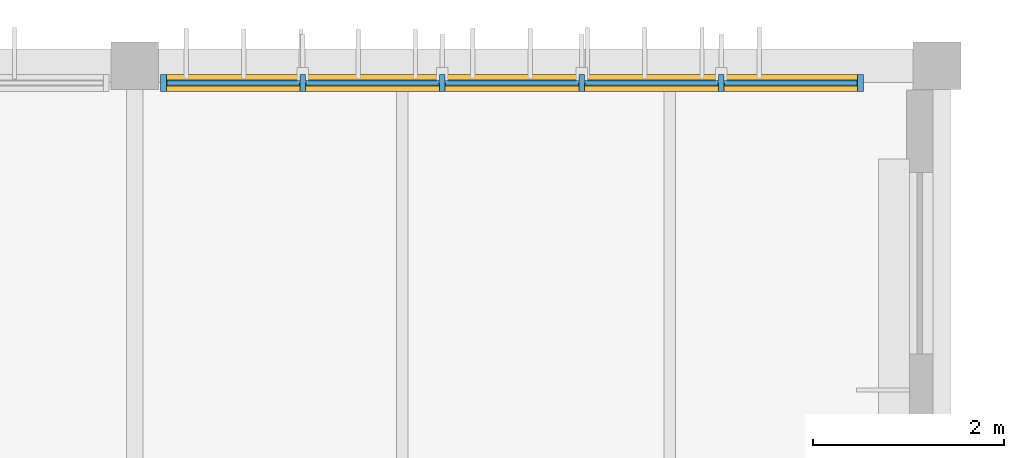
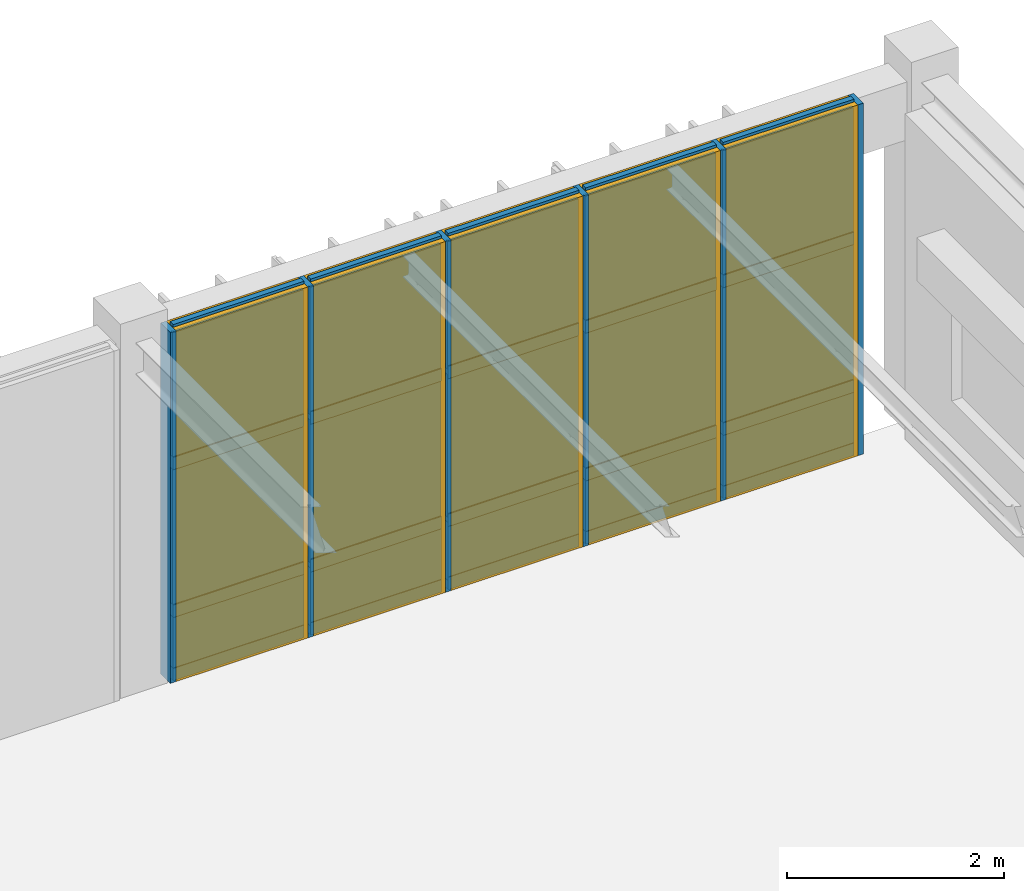
# One storey, part 105 of 122: 26 members, 15 plates, 1 curtain wall.
"""IFC4 building model written with IfcOpenShell, lengths in metres."""

from ifc_helpers import new_model, si_unit, direction, frame, frame_2d, origin, origin_2d, place, context, subcontext, project, spatial, rectangle, extrude, material, layer, layer_set, material_profile, profile_set, type_object, element, aggregate, save


model = new_model("IFC4")

# Units and contexts
model_context = context("Model", 3, precision=1e-05, world=origin(), true_north=direction((0.0, 1.0)))
body_context = subcontext(model_context, "Body", "Model", "MODEL_VIEW")
ifc_project = project(units=[si_unit("LENGTHUNIT", "METRE"), si_unit("AREAUNIT", "SQUARE_METRE"), si_unit("VOLUMEUNIT", "CUBIC_METRE"), si_unit("PLANEANGLEUNIT", "RADIAN"), si_unit("MASSUNIT", "GRAM", prefix="KILO")], contexts=[model_context])

# Member
ifc_material_1 = material(Name="Anodised Bronze Aluminium 6063-T6", Category="aluminium")
ifc_material_profile_1 = material_profile(ifc_material_1, rectangle(XDim=0.06005859375, YDim=0.179931640625, at=origin_2d()), Name="ALU MULLION 60x180")
ifc_profile_set_1 = profile_set([ifc_material_profile_1], Name="Anodised Bronze Aluminium 6063-T6")
member_type_1 = type_object("IfcMemberType", Name="Curtain-Wall Primary Mullion 60x180", PredefinedType="MULLION", material=ifc_profile_set_1)
site_placement = place(None, origin())
building_placement = place(site_placement, origin())
storey_placement = place(building_placement, frame((0.0, 0.0, 4.800048828125)))
member_1_placement = place(storey_placement, frame((142.5, 111.6201171875, 0.0), z_axis=(0.0, 0.0, 1.0), x_axis=(1.0, 0.0, 0.0)))
member_1 = element("IfcMember", 1, at=member_1_placement, type_object=member_type_1, Name="Mullion CWM-01 CW-V3-N3-L01-B3-M01", PredefinedType="MULLION", context=body_context, shape_type="SweptSolid", body=[
    extrude(rectangle(XDim=0.06005859375, YDim=0.179931640625, at=origin_2d()), origin(), (0.0, 0.0, 1.0), 3.93994140625),
])

member_2_placement = place(storey_placement, frame((143.9599609375, 111.6201171875, 0.0), z_axis=(0.0, 0.0, 1.0), x_axis=(1.0, 0.0, 0.0)))
member_2 = element("IfcMember", 2, at=member_2_placement, type_object=member_type_1, Name="Mullion CWM-01 CW-V3-N3-L01-B3-M02", PredefinedType="MULLION", context=body_context, shape_type="SweptSolid", body=[
    extrude(rectangle(XDim=0.06005859375, YDim=0.179931640625, at=origin_2d()), origin(), (0.0, 0.0, 1.0), 3.93994140625),
])

member_3_placement = place(storey_placement, frame((145.419921875, 111.6201171875, 0.0), z_axis=(0.0, 0.0, 1.0), x_axis=(1.0, 0.0, 0.0)))
member_3 = element("IfcMember", 3, at=member_3_placement, type_object=member_type_1, Name="Mullion CWM-01 CW-V3-N3-L01-B3-M03", PredefinedType="MULLION", context=body_context, shape_type="SweptSolid", body=[
    extrude(rectangle(XDim=0.06005859375, YDim=0.179931640625, at=origin_2d()), origin(), (0.0, 0.0, 1.0), 3.93994140625),
])

member_4_placement = place(storey_placement, frame((146.8798828125, 111.6201171875, 0.0), z_axis=(0.0, 0.0, 1.0), x_axis=(1.0, 0.0, 0.0)))
member_4 = element("IfcMember", 4, at=member_4_placement, type_object=member_type_1, Name="Mullion CWM-01 CW-V3-N3-L01-B3-M04", PredefinedType="MULLION", context=body_context, shape_type="SweptSolid", body=[
    extrude(rectangle(XDim=0.06005859375, YDim=0.179931640625, at=origin_2d()), origin(), (0.0, 0.0, 1.0), 3.93994140625),
])

member_5_placement = place(storey_placement, frame((148.340087890625, 111.6201171875, 0.0), z_axis=(0.0, 0.0, 1.0), x_axis=(1.0, 0.0, 0.0)))
member_5 = element("IfcMember", 5, at=member_5_placement, type_object=member_type_1, Name="Mullion CWM-01 CW-V3-N3-L01-B3-M05", PredefinedType="MULLION", context=body_context, shape_type="SweptSolid", body=[
    extrude(rectangle(XDim=0.06005859375, YDim=0.179931640625, at=origin_2d()), origin(), (0.0, 0.0, 1.0), 3.93994140625),
])

member_6_placement = place(storey_placement, frame((149.800048828125, 111.6201171875, 0.0), z_axis=(0.0, 0.0, 1.0), x_axis=(1.0, 0.0, 0.0)))
member_6 = element("IfcMember", 6, at=member_6_placement, type_object=member_type_1, Name="Mullion CWM-01 CW-V3-N3-L01-B3-M06", PredefinedType="MULLION", context=body_context, shape_type="SweptSolid", body=[
    extrude(rectangle(XDim=0.06005859375, YDim=0.179931640625, at=origin_2d()), origin(), (0.0, 0.0, 1.0), 3.93994140625),
])

ifc_material_profile_2 = material_profile(ifc_material_1, rectangle(XDim=0.06005859375, YDim=0.139892578125, at=origin_2d()), Name="ALU TRANSOM 60x140")
ifc_profile_set_2 = profile_set([ifc_material_profile_2], Name="Anodised Bronze Aluminium 6063-T6")
member_type_2 = type_object("IfcMemberType", Name="Curtain-Wall Transom 60x140", PredefinedType="USERDEFINED", material=ifc_profile_set_2)
member_7_placement = place(storey_placement, frame((142.534912109375, 111.6201171875, 0.0400390625), z_axis=(1.0, 0.0, 0.0), x_axis=(0.0, 1.0, 0.0)))
member_7 = element("IfcMember", 7, at=member_7_placement, type_object=member_type_2, Name="Transom CWT-01 CW-V3-N3-L01-B3-T01.1", ObjectType="TRANSOM", PredefinedType="USERDEFINED", context=body_context, shape_type="SweptSolid", body=[
    extrude(rectangle(XDim=0.06005859375, YDim=0.139892578125, at=origin_2d()), origin(), (0.0, 0.0, 1.0), 1.39013671875),
])

member_8_placement = place(storey_placement, frame((142.534912109375, 111.6201171875, 0.75), z_axis=(1.0, 0.0, 0.0), x_axis=(0.0, 1.0, 0.0)))
member_8 = element("IfcMember", 8, at=member_8_placement, type_object=member_type_2, Name="Transom CWT-01 CW-V3-N3-L01-B3-T01.2", ObjectType="TRANSOM", PredefinedType="USERDEFINED", context=body_context, shape_type="SweptSolid", body=[
    extrude(rectangle(XDim=0.06005859375, YDim=0.139892578125, at=origin_2d()), origin(), (0.0, 0.0, 1.0), 1.39013671875),
])

member_9_placement = place(storey_placement, frame((142.534912109375, 111.6201171875, 2.40869140625), z_axis=(1.0, 0.0, 0.0), x_axis=(0.0, 1.0, 0.0)))
member_9 = element("IfcMember", 9, at=member_9_placement, type_object=member_type_2, Name="Transom CWT-01 CW-V3-N3-L01-B3-T01.3", ObjectType="TRANSOM", PredefinedType="USERDEFINED", context=body_context, shape_type="SweptSolid", body=[
    extrude(rectangle(XDim=0.06005859375, YDim=0.139892578125, at=origin_2d()), origin(), (0.0, 0.0, 1.0), 1.39013671875),
])

member_10_placement = place(storey_placement, frame((142.534912109375, 111.6201171875, 3.89990234375), z_axis=(1.0, 0.0, 0.0), x_axis=(0.0, 1.0, 0.0)))
member_10 = element("IfcMember", 10, at=member_10_placement, type_object=member_type_2, Name="Transom CWT-01 CW-V3-N3-L01-B3-T01.4", ObjectType="TRANSOM", PredefinedType="USERDEFINED", context=body_context, shape_type="SweptSolid", body=[
    extrude(rectangle(XDim=0.06005859375, YDim=0.139892578125, at=origin_2d()), origin(), (0.0, 0.0, 1.0), 1.39013671875),
])

member_11_placement = place(storey_placement, frame((143.9951171875, 111.6201171875, 0.0400390625), z_axis=(1.0, 0.0, 0.0), x_axis=(0.0, 1.0, 0.0)))
member_11 = element("IfcMember", 11, at=member_11_placement, type_object=member_type_2, Name="Transom CWT-01 CW-V3-N3-L01-B3-T02.1", ObjectType="TRANSOM", PredefinedType="USERDEFINED", context=body_context, shape_type="SweptSolid", body=[
    extrude(rectangle(XDim=0.06005859375, YDim=0.139892578125, at=origin_2d()), origin(), (0.0, 0.0, 1.0), 1.389892578125),
])

member_12_placement = place(storey_placement, frame((143.9951171875, 111.6201171875, 0.75), z_axis=(1.0, 0.0, 0.0), x_axis=(0.0, 1.0, 0.0)))
member_12 = element("IfcMember", 12, at=member_12_placement, type_object=member_type_2, Name="Transom CWT-01 CW-V3-N3-L01-B3-T02.2", ObjectType="TRANSOM", PredefinedType="USERDEFINED", context=body_context, shape_type="SweptSolid", body=[
    extrude(rectangle(XDim=0.06005859375, YDim=0.139892578125, at=origin_2d()), origin(), (0.0, 0.0, 1.0), 1.389892578125),
])

member_13_placement = place(storey_placement, frame((143.9951171875, 111.6201171875, 2.40869140625), z_axis=(1.0, 0.0, 0.0), x_axis=(0.0, 1.0, 0.0)))
member_13 = element("IfcMember", 13, at=member_13_placement, type_object=member_type_2, Name="Transom CWT-01 CW-V3-N3-L01-B3-T02.3", ObjectType="TRANSOM", PredefinedType="USERDEFINED", context=body_context, shape_type="SweptSolid", body=[
    extrude(rectangle(XDim=0.06005859375, YDim=0.139892578125, at=origin_2d()), origin(), (0.0, 0.0, 1.0), 1.389892578125),
])

member_14_placement = place(storey_placement, frame((143.9951171875, 111.6201171875, 3.89990234375), z_axis=(1.0, 0.0, 0.0), x_axis=(0.0, 1.0, 0.0)))
member_14 = element("IfcMember", 14, at=member_14_placement, type_object=member_type_2, Name="Transom CWT-01 CW-V3-N3-L01-B3-T02.4", ObjectType="TRANSOM", PredefinedType="USERDEFINED", context=body_context, shape_type="SweptSolid", body=[
    extrude(rectangle(XDim=0.06005859375, YDim=0.139892578125, at=origin_2d()), origin(), (0.0, 0.0, 1.0), 1.389892578125),
])

member_15_placement = place(storey_placement, frame((145.455078125, 111.6201171875, 0.0400390625), z_axis=(1.0, 0.0, 0.0), x_axis=(0.0, 1.0, 0.0)))
member_15 = element("IfcMember", 15, at=member_15_placement, type_object=member_type_2, Name="Transom CWT-01 CW-V3-N3-L01-B3-T03.1", ObjectType="TRANSOM", PredefinedType="USERDEFINED", context=body_context, shape_type="SweptSolid", body=[
    extrude(rectangle(XDim=0.06005859375, YDim=0.139892578125, at=origin_2d()), origin(), (0.0, 0.0, 1.0), 1.389892578125),
])

member_16_placement = place(storey_placement, frame((145.455078125, 111.6201171875, 0.75), z_axis=(1.0, 0.0, 0.0), x_axis=(0.0, 1.0, 0.0)))
member_16 = element("IfcMember", 16, at=member_16_placement, type_object=member_type_2, Name="Transom CWT-01 CW-V3-N3-L01-B3-T03.2", ObjectType="TRANSOM", PredefinedType="USERDEFINED", context=body_context, shape_type="SweptSolid", body=[
    extrude(rectangle(XDim=0.06005859375, YDim=0.139892578125, at=origin_2d()), origin(), (0.0, 0.0, 1.0), 1.389892578125),
])

member_17_placement = place(storey_placement, frame((145.455078125, 111.6201171875, 2.40869140625), z_axis=(1.0, 0.0, 0.0), x_axis=(0.0, 1.0, 0.0)))
member_17 = element("IfcMember", 17, at=member_17_placement, type_object=member_type_2, Name="Transom CWT-01 CW-V3-N3-L01-B3-T03.3", ObjectType="TRANSOM", PredefinedType="USERDEFINED", context=body_context, shape_type="SweptSolid", body=[
    extrude(rectangle(XDim=0.06005859375, YDim=0.139892578125, at=origin_2d()), origin(), (0.0, 0.0, 1.0), 1.389892578125),
])

member_18_placement = place(storey_placement, frame((145.455078125, 111.6201171875, 3.89990234375), z_axis=(1.0, 0.0, 0.0), x_axis=(0.0, 1.0, 0.0)))
member_18 = element("IfcMember", 18, at=member_18_placement, type_object=member_type_2, Name="Transom CWT-01 CW-V3-N3-L01-B3-T03.4", ObjectType="TRANSOM", PredefinedType="USERDEFINED", context=body_context, shape_type="SweptSolid", body=[
    extrude(rectangle(XDim=0.06005859375, YDim=0.139892578125, at=origin_2d()), origin(), (0.0, 0.0, 1.0), 1.389892578125),
])

member_19_placement = place(storey_placement, frame((146.9150390625, 111.6201171875, 0.0400390625), z_axis=(1.0, 0.0, 0.0), x_axis=(0.0, 1.0, 0.0)))
member_19 = element("IfcMember", 19, at=member_19_placement, type_object=member_type_2, Name="Transom CWT-01 CW-V3-N3-L01-B3-T04.1", ObjectType="TRANSOM", PredefinedType="USERDEFINED", context=body_context, shape_type="SweptSolid", body=[
    extrude(rectangle(XDim=0.06005859375, YDim=0.139892578125, at=origin_2d()), origin(), (0.0, 0.0, 1.0), 1.389892578125),
])

member_20_placement = place(storey_placement, frame((146.9150390625, 111.6201171875, 0.75), z_axis=(1.0, 0.0, 0.0), x_axis=(0.0, 1.0, 0.0)))
member_20 = element("IfcMember", 20, at=member_20_placement, type_object=member_type_2, Name="Transom CWT-01 CW-V3-N3-L01-B3-T04.2", ObjectType="TRANSOM", PredefinedType="USERDEFINED", context=body_context, shape_type="SweptSolid", body=[
    extrude(rectangle(XDim=0.06005859375, YDim=0.139892578125, at=origin_2d()), origin(), (0.0, 0.0, 1.0), 1.389892578125),
])

member_21_placement = place(storey_placement, frame((146.9150390625, 111.6201171875, 2.40869140625), z_axis=(1.0, 0.0, 0.0), x_axis=(0.0, 1.0, 0.0)))
member_21 = element("IfcMember", 21, at=member_21_placement, type_object=member_type_2, Name="Transom CWT-01 CW-V3-N3-L01-B3-T04.3", ObjectType="TRANSOM", PredefinedType="USERDEFINED", context=body_context, shape_type="SweptSolid", body=[
    extrude(rectangle(XDim=0.06005859375, YDim=0.139892578125, at=origin_2d()), origin(), (0.0, 0.0, 1.0), 1.389892578125),
])

member_22_placement = place(storey_placement, frame((146.9150390625, 111.6201171875, 3.89990234375), z_axis=(1.0, 0.0, 0.0), x_axis=(0.0, 1.0, 0.0)))
member_22 = element("IfcMember", 22, at=member_22_placement, type_object=member_type_2, Name="Transom CWT-01 CW-V3-N3-L01-B3-T04.4", ObjectType="TRANSOM", PredefinedType="USERDEFINED", context=body_context, shape_type="SweptSolid", body=[
    extrude(rectangle(XDim=0.06005859375, YDim=0.139892578125, at=origin_2d()), origin(), (0.0, 0.0, 1.0), 1.389892578125),
])

member_23_placement = place(storey_placement, frame((148.375, 111.6201171875, 0.0400390625), z_axis=(1.0, 0.0, 0.0), x_axis=(0.0, 1.0, 0.0)))
member_23 = element("IfcMember", 23, at=member_23_placement, type_object=member_type_2, Name="Transom CWT-01 CW-V3-N3-L01-B3-T05.1", ObjectType="TRANSOM", PredefinedType="USERDEFINED", context=body_context, shape_type="SweptSolid", body=[
    extrude(rectangle(XDim=0.06005859375, YDim=0.139892578125, at=origin_2d()), origin(), (0.0, 0.0, 1.0), 1.389892578125),
])

member_24_placement = place(storey_placement, frame((148.375, 111.6201171875, 0.75), z_axis=(1.0, 0.0, 0.0), x_axis=(0.0, 1.0, 0.0)))
member_24 = element("IfcMember", 24, at=member_24_placement, type_object=member_type_2, Name="Transom CWT-01 CW-V3-N3-L01-B3-T05.2", ObjectType="TRANSOM", PredefinedType="USERDEFINED", context=body_context, shape_type="SweptSolid", body=[
    extrude(rectangle(XDim=0.06005859375, YDim=0.139892578125, at=origin_2d()), origin(), (0.0, 0.0, 1.0), 1.389892578125),
])

member_25_placement = place(storey_placement, frame((148.375, 111.6201171875, 2.40869140625), z_axis=(1.0, 0.0, 0.0), x_axis=(0.0, 1.0, 0.0)))
member_25 = element("IfcMember", 25, at=member_25_placement, type_object=member_type_2, Name="Transom CWT-01 CW-V3-N3-L01-B3-T05.3", ObjectType="TRANSOM", PredefinedType="USERDEFINED", context=body_context, shape_type="SweptSolid", body=[
    extrude(rectangle(XDim=0.06005859375, YDim=0.139892578125, at=origin_2d()), origin(), (0.0, 0.0, 1.0), 1.389892578125),
])

member_26_placement = place(storey_placement, frame((148.375, 111.6201171875, 3.89990234375), z_axis=(1.0, 0.0, 0.0), x_axis=(0.0, 1.0, 0.0)))
member_26 = element("IfcMember", 26, at=member_26_placement, type_object=member_type_2, Name="Transom CWT-01 CW-V3-N3-L01-B3-T05.4", ObjectType="TRANSOM", PredefinedType="USERDEFINED", context=body_context, shape_type="SweptSolid", body=[
    extrude(rectangle(XDim=0.06005859375, YDim=0.139892578125, at=origin_2d()), origin(), (0.0, 0.0, 1.0), 1.389892578125),
])

# Plate
ifc_material_2 = material(Name="Insulated Bronze Aluminium Spandrel Panel", Category="aluminium")
ifc_layer_1 = layer(ifc_material_2, 0.050048828125, Name="Insulated Bronze Aluminium Spandrel Panel")
ifc_layer_set_1 = layer_set([ifc_layer_1], Name="Insulated Bronze Aluminium Spandrel Panel")
plate_type_1 = type_object("IfcPlateType", Name="Insulated Anodised Aluminium Spandrel Cassette 50", PredefinedType="CURTAIN_PANEL", material=ifc_layer_set_1)
plate_1_placement = place(storey_placement, frame((143.22998046875, 111.6201171875, 0.070068359375), z_axis=(0.0, 0.0, 1.0), x_axis=(1.0, 0.0, 0.0)))
plate_1 = element("IfcPlate", 27, at=plate_1_placement, type_object=plate_type_1, Name="Curtain Panel CWP-03 CW-V3-N3-L01-B3-P01.1", PredefinedType="CURTAIN_PANEL", context=body_context, shape_type="SweptSolid", body=[
    extrude(rectangle(XDim=1.389892578125, YDim=0.050048828125, at=origin_2d()), origin(), (0.0, 0.0, 1.0), 0.64990234375),
])

plate_2_placement = place(storey_placement, frame((144.68994140625, 111.6201171875, 0.070068359375), z_axis=(0.0, 0.0, 1.0), x_axis=(1.0, 0.0, 0.0)))
plate_2 = element("IfcPlate", 28, at=plate_2_placement, type_object=plate_type_1, Name="Curtain Panel CWP-03 CW-V3-N3-L01-B3-P02.1", PredefinedType="CURTAIN_PANEL", context=body_context, shape_type="SweptSolid", body=[
    extrude(rectangle(XDim=1.389892578125, YDim=0.050048828125, at=origin_2d()), origin(), (0.0, 0.0, 1.0), 0.64990234375),
])

plate_3_placement = place(storey_placement, frame((146.14990234375, 111.6201171875, 0.070068359375), z_axis=(0.0, 0.0, 1.0), x_axis=(1.0, 0.0, 0.0)))
plate_3 = element("IfcPlate", 29, at=plate_3_placement, type_object=plate_type_1, Name="Curtain Panel CWP-03 CW-V3-N3-L01-B3-P03.1", PredefinedType="CURTAIN_PANEL", context=body_context, shape_type="SweptSolid", body=[
    extrude(rectangle(XDim=1.389892578125, YDim=0.050048828125, at=origin_2d()), origin(), (0.0, 0.0, 1.0), 0.64990234375),
])

plate_4_placement = place(storey_placement, frame((147.610107421875, 111.6201171875, 0.070068359375), z_axis=(0.0, 0.0, 1.0), x_axis=(1.0, 0.0, 0.0)))
plate_4 = element("IfcPlate", 30, at=plate_4_placement, type_object=plate_type_1, Name="Curtain Panel CWP-03 CW-V3-N3-L01-B3-P04.1", PredefinedType="CURTAIN_PANEL", context=body_context, shape_type="SweptSolid", body=[
    extrude(rectangle(XDim=1.389892578125, YDim=0.050048828125, at=origin_2d()), origin(), (0.0, 0.0, 1.0), 0.64990234375),
])

plate_5_placement = place(storey_placement, frame((149.070068359375, 111.6201171875, 0.070068359375), z_axis=(0.0, 0.0, 1.0), x_axis=(1.0, 0.0, 0.0)))
plate_5 = element("IfcPlate", 31, at=plate_5_placement, type_object=plate_type_1, Name="Curtain Panel CWP-03 CW-V3-N3-L01-B3-P05.1", PredefinedType="CURTAIN_PANEL", context=body_context, shape_type="SweptSolid", body=[
    extrude(rectangle(XDim=1.389892578125, YDim=0.050048828125, at=origin_2d()), origin(), (0.0, 0.0, 1.0), 0.64990234375),
])

ifc_material_3 = material(Name="Solar-Control Tempered Double Glazing", Category="glass")
ifc_layer_2 = layer(ifc_material_3, 0.0380859375, Name="Solar-Control Tempered Double Glazing")
ifc_layer_set_2 = layer_set([ifc_layer_2], Name="Solar-Control Tempered Double Glazing")
plate_type_2 = type_object("IfcPlateType", Name="Solar-Control Vision Glazing Unit 38", PredefinedType="CURTAIN_PANEL", material=ifc_layer_set_2)
plate_6_placement = place(storey_placement, frame((143.22998046875, 111.6201171875, 0.77978515625), z_axis=(0.0, 0.0, 1.0), x_axis=(1.0, 0.0, 0.0)))
plate_6 = element("IfcPlate", 32, at=plate_6_placement, type_object=plate_type_2, Name="Curtain Panel CWP-02 CW-V3-N3-L01-B3-P01.2", PredefinedType="CURTAIN_PANEL", context=body_context, shape_type="SweptSolid", body=[
    extrude(rectangle(XDim=1.389892578125, YDim=0.0380859375, at=origin_2d()), origin(), (0.0, 0.0, 1.0), 1.598876953125),
])

plate_7_placement = place(storey_placement, frame((143.22998046875, 111.6201171875, 2.438720703125), z_axis=(0.0, 0.0, 1.0), x_axis=(1.0, 0.0, 0.0)))
plate_7 = element("IfcPlate", 33, at=plate_7_placement, type_object=plate_type_2, Name="Curtain Panel CWP-02 CW-V3-N3-L01-B3-P01.3", PredefinedType="CURTAIN_PANEL", context=body_context, shape_type="SweptSolid", body=[
    extrude(rectangle(XDim=1.389892578125, YDim=0.0380859375, at=origin_2d()), origin(), (0.0, 0.0, 1.0), 1.43115234375),
])

plate_8_placement = place(storey_placement, frame((144.68994140625, 111.6201171875, 0.77978515625), z_axis=(0.0, 0.0, 1.0), x_axis=(1.0, 0.0, 0.0)))
plate_8 = element("IfcPlate", 34, at=plate_8_placement, type_object=plate_type_2, Name="Curtain Panel CWP-02 CW-V3-N3-L01-B3-P02.2", PredefinedType="CURTAIN_PANEL", context=body_context, shape_type="SweptSolid", body=[
    extrude(rectangle(XDim=1.389892578125, YDim=0.0380859375, at=origin_2d()), origin(), (0.0, 0.0, 1.0), 1.598876953125),
])

plate_9_placement = place(storey_placement, frame((144.68994140625, 111.6201171875, 2.438720703125), z_axis=(0.0, 0.0, 1.0), x_axis=(1.0, 0.0, 0.0)))
plate_9 = element("IfcPlate", 35, at=plate_9_placement, type_object=plate_type_2, Name="Curtain Panel CWP-02 CW-V3-N3-L01-B3-P02.3", PredefinedType="CURTAIN_PANEL", context=body_context, shape_type="SweptSolid", body=[
    extrude(rectangle(XDim=1.389892578125, YDim=0.0380859375, at=origin_2d()), origin(), (0.0, 0.0, 1.0), 1.43115234375),
])

plate_10_placement = place(storey_placement, frame((146.14990234375, 111.6201171875, 0.77978515625), z_axis=(0.0, 0.0, 1.0), x_axis=(1.0, 0.0, 0.0)))
plate_10 = element("IfcPlate", 36, at=plate_10_placement, type_object=plate_type_2, Name="Curtain Panel CWP-02 CW-V3-N3-L01-B3-P03.2", PredefinedType="CURTAIN_PANEL", context=body_context, shape_type="SweptSolid", body=[
    extrude(rectangle(XDim=1.389892578125, YDim=0.0380859375, at=origin_2d()), origin(), (0.0, 0.0, 1.0), 1.598876953125),
])

plate_11_placement = place(storey_placement, frame((146.14990234375, 111.6201171875, 2.438720703125), z_axis=(0.0, 0.0, 1.0), x_axis=(1.0, 0.0, 0.0)))
plate_11 = element("IfcPlate", 37, at=plate_11_placement, type_object=plate_type_2, Name="Curtain Panel CWP-02 CW-V3-N3-L01-B3-P03.3", PredefinedType="CURTAIN_PANEL", context=body_context, shape_type="SweptSolid", body=[
    extrude(rectangle(XDim=1.389892578125, YDim=0.0380859375, at=origin_2d()), origin(), (0.0, 0.0, 1.0), 1.43115234375),
])

plate_12_placement = place(storey_placement, frame((147.610107421875, 111.6201171875, 0.77978515625), z_axis=(0.0, 0.0, 1.0), x_axis=(1.0, 0.0, 0.0)))
plate_12 = element("IfcPlate", 38, at=plate_12_placement, type_object=plate_type_2, Name="Curtain Panel CWP-02 CW-V3-N3-L01-B3-P04.2", PredefinedType="CURTAIN_PANEL", context=body_context, shape_type="SweptSolid", body=[
    extrude(rectangle(XDim=1.389892578125, YDim=0.0380859375, at=origin_2d()), origin(), (0.0, 0.0, 1.0), 1.598876953125),
])

plate_13_placement = place(storey_placement, frame((147.610107421875, 111.6201171875, 2.438720703125), z_axis=(0.0, 0.0, 1.0), x_axis=(1.0, 0.0, 0.0)))
plate_13 = element("IfcPlate", 39, at=plate_13_placement, type_object=plate_type_2, Name="Curtain Panel CWP-02 CW-V3-N3-L01-B3-P04.3", PredefinedType="CURTAIN_PANEL", context=body_context, shape_type="SweptSolid", body=[
    extrude(rectangle(XDim=1.389892578125, YDim=0.0380859375, at=origin_2d()), origin(), (0.0, 0.0, 1.0), 1.43115234375),
])

plate_14_placement = place(storey_placement, frame((149.070068359375, 111.6201171875, 0.77978515625), z_axis=(0.0, 0.0, 1.0), x_axis=(1.0, 0.0, 0.0)))
plate_14 = element("IfcPlate", 40, at=plate_14_placement, type_object=plate_type_2, Name="Curtain Panel CWP-02 CW-V3-N3-L01-B3-P05.2", PredefinedType="CURTAIN_PANEL", context=body_context, shape_type="SweptSolid", body=[
    extrude(rectangle(XDim=1.389892578125, YDim=0.0380859375, at=origin_2d()), origin(), (0.0, 0.0, 1.0), 1.598876953125),
])

plate_15_placement = place(storey_placement, frame((149.070068359375, 111.6201171875, 2.438720703125), z_axis=(0.0, 0.0, 1.0), x_axis=(1.0, 0.0, 0.0)))
plate_15 = element("IfcPlate", 41, at=plate_15_placement, type_object=plate_type_2, Name="Curtain Panel CWP-02 CW-V3-N3-L01-B3-P05.3", PredefinedType="CURTAIN_PANEL", context=body_context, shape_type="SweptSolid", body=[
    extrude(rectangle(XDim=1.389892578125, YDim=0.0380859375, at=origin_2d()), origin(), (0.0, 0.0, 1.0), 1.43115234375),
])

# Site, building, storey
site = spatial("IfcSite", under=ifc_project, at=site_placement, CompositionType="ELEMENT")
building = spatial("IfcBuilding", under=site, at=building_placement, Name="Tazoul Stagehouse", CompositionType="ELEMENT")
storey = spatial("IfcBuildingStorey", under=building, at=storey_placement, Name="L01", CompositionType="ELEMENT", Elevation=4.800048828125)

# Curtain wall
curtain_wall_type = type_object("IfcCurtainWallType", Name="Rehearsal North Daylight Curtain Wall", PredefinedType="NOTDEFINED", material=ifc_material_1)
curtain_wall_placement = place(storey_placement, frame((142.5, 111.6201171875, 0.0), z_axis=(0.0, 0.0, 1.0), x_axis=(1.0, 0.0, 0.0)))
curtain_wall = element("IfcCurtainWall", 42, at=curtain_wall_placement, inside=storey, type_object=curtain_wall_type, Name="L01 Curtain Wall CW-04 (CW-V3-N3-L01-B3)", PredefinedType="NOTDEFINED", context=body_context, shape_type="SweptSolid", body=[
    extrude(rectangle(XDim=7.300048828125, YDim=0.179931640625, at=frame_2d((3.64990234375, 0.0))), origin(), (0.0, 0.0, 1.0), 3.93994140625),
])

aggregate(curtain_wall, [member_1, member_2, member_3, member_4, member_5, member_6, member_7, member_8, member_9, member_10, plate_1, plate_6, plate_7, member_11, member_12, member_13, member_14, plate_2, plate_8, plate_9, member_15, member_16, member_17, member_18, plate_3, plate_10, plate_11, member_19, member_20, member_21, member_22, plate_4, plate_12, plate_13, member_23, member_24, member_25, member_26, plate_5, plate_14, plate_15])

save(model, "model.ifc")
